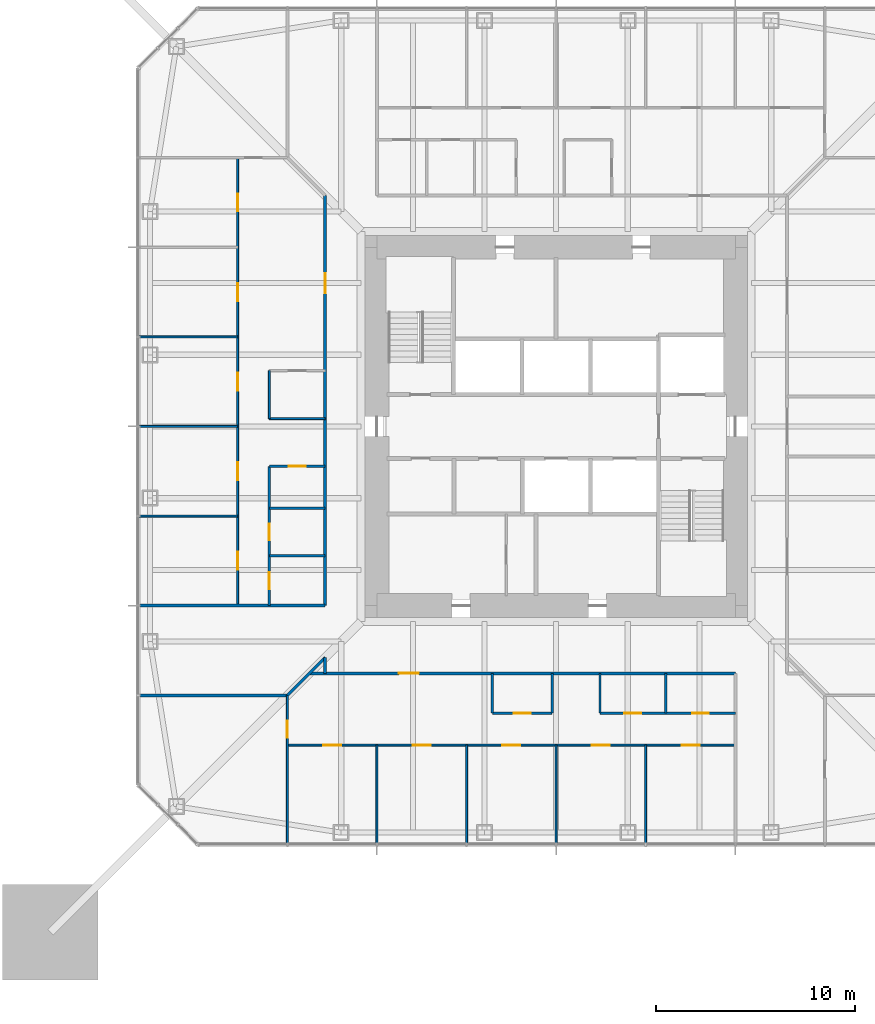
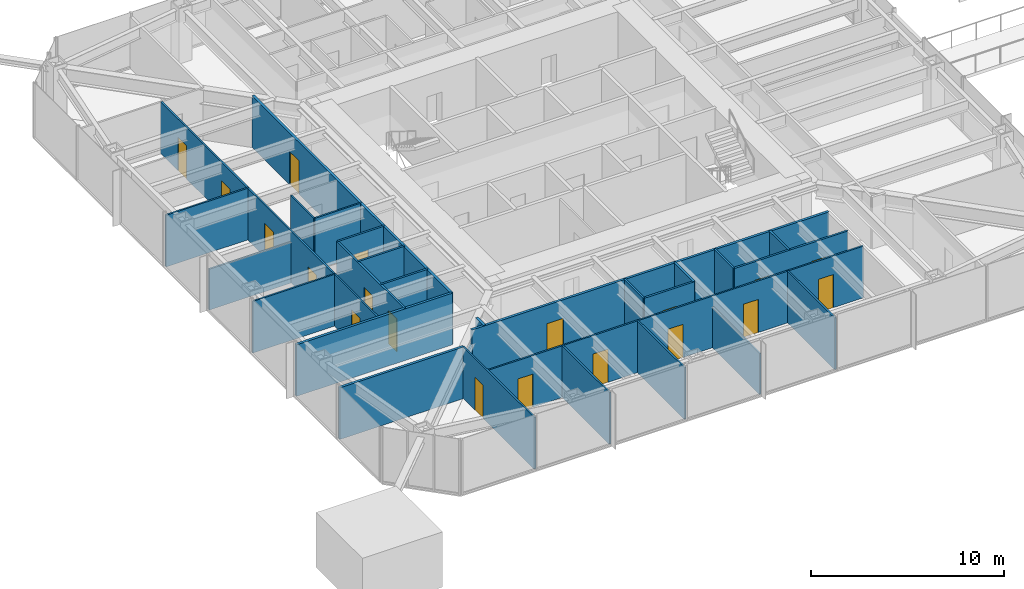
# One storey, part 12 of 23: 28 walls, 19 doors, 19 openings.
"""IFC4 building model written with IfcOpenShell, lengths in metres."""

from ifc_helpers import new_model, si_unit, direction, frame, frame_2d, origin, place, context, subcontext, project, spatial, rectangle, extrude, material, layer, layer_set, type_object, element, fill, save


model = new_model("IFC4")

# Units and contexts
model_context = context("Model", 3, precision=1e-05, world=origin(), true_north=direction((0.0, 1.0)))
body_context = subcontext(model_context, "Body", "Model", "MODEL_VIEW")
ifc_project = project(units=[si_unit("LENGTHUNIT", "METRE"), si_unit("AREAUNIT", "SQUARE_METRE"), si_unit("VOLUMEUNIT", "CUBIC_METRE"), si_unit("PLANEANGLEUNIT", "RADIAN"), si_unit("MASSUNIT", "GRAM", prefix="KILO")], contexts=[model_context])

# Site, building, storey
site_placement = place(None, origin())
site = spatial("IfcSite", under=ifc_project, at=site_placement, CompositionType="ELEMENT")
building_placement = place(site_placement, origin())
building = spatial("IfcBuilding", under=site, at=building_placement, Name="Iwan Alto Co-Living Towers", CompositionType="ELEMENT")
storey_placement = place(building_placement, frame((0.0, 0.0, 129.5)))
storey = spatial("IfcBuildingStorey", under=building, at=storey_placement, Name="L35", CompositionType="ELEMENT", Elevation=129.5)

# Wall
ifc_material_1 = material(Name="Gypsum board")
ifc_layer_1 = layer(ifc_material_1, 0.02490234375, Name="Board", Category="Finish")
ifc_material_2 = material(Name="Steel ASTM A1003 ST33H cold-formed studs", Category="steel")
ifc_layer_2 = layer(ifc_material_2, 0.10009765625, Name="Studs", Category="Framing")
ifc_layer_3 = layer(ifc_material_1, 0.02490234375, Name="Board", Category="Finish")
ifc_layer_set_1 = layer_set([ifc_layer_1, ifc_layer_2, ifc_layer_3], Name="CORRIDOR WALL 150")
wall_type_1 = type_object("IfcWallType", Name="CORRIDOR WALL 150", PredefinedType="PARTITIONING", material=ifc_layer_set_1)
wall_1_placement = place(storey_placement, frame((-20.93994140625, -13.5, 0.0), z_axis=(0.0, 0.0, 1.0), x_axis=(1.0, 0.0, 0.0)))
element("IfcWall", 1, at=wall_1_placement, inside=storey, type_object=wall_type_1, Name="Partition L35", PredefinedType="PARTITIONING", context=body_context, shape_type="SweptSolid", body=[
    extrude(rectangle(XDim=7.43994140625, YDim=0.14990234375, at=frame_2d((3.719970703125, 0.0))), origin(), (0.0, 0.0, 1.0), 3.27001953125),
])

# Wall, opening, door
wall_2_placement = place(storey_placement, frame((-12.39990234375, -12.39990234375, 0.0), z_axis=(0.0, 0.0, 1.0), x_axis=(1.0, 0.0, 0.0)))
wall_2 = element("IfcWall", 2, at=wall_2_placement, inside=storey, type_object=wall_type_1, Name="Partition L35", PredefinedType="PARTITIONING", context=body_context, shape_type="SweptSolid", body=[
    extrude(rectangle(XDim=21.39990234375, YDim=0.14990234375, at=frame_2d((10.699951171875, 0.0))), origin(), (0.0, 0.0, 1.0), 3.27001953125),
])
opening_1_placement = place(wall_2_placement, frame((4.5, 0.0, 0.0)))
opening_1 = element("IfcOpeningElement", 3, at=opening_1_placement, cuts=wall_2, Name="Opening D3", PredefinedType="OPENING", context=body_context, shape_type="SweptSolid", body=[
    extrude(rectangle(XDim=1.0, YDim=2.10009765625, at=frame_2d((0.5, 1.050048828125))), frame((0.0, 0.0849609375, 0.0), z_axis=(0.0, -1.0, 0.0), x_axis=(1.0, 0.0, 0.0)), (0.0, 0.0, 1.0), 0.169921875),
])
ifc_material_3 = material(Name="Steel frame with timber leaf", Category="steel")
door_type_1 = type_object("IfcDoorType", Name="FLAT ENTRANCE DOOR FD30S 1000X2100", OperationType="SINGLE_SWING_LEFT", PredefinedType="DOOR", material=ifc_material_3)
door_1_placement = place(opening_1_placement, frame((1.0, 0.0, 0.0), z_axis=(0.0, 0.0, 1.0), x_axis=(-1.0, 0.0, 0.0)))
door_1 = element("IfcDoor", 4, at=door_1_placement, inside=storey, type_object=door_type_1, Name="Cluster lounge door L35", OperationType="SINGLE_SWING_LEFT", OverallHeight=2.10009765625, OverallWidth=1.0, PredefinedType="DOOR", context=body_context, shape_type="SweptSolid", body=[
    extrude(rectangle(XDim=1.0, YDim=2.10009765625, at=frame_2d((0.5, 1.050048828125))), frame((0.0, 0.02490234375, 0.0), z_axis=(0.0, -1.0, 0.0), x_axis=(1.0, 0.0, 0.0)), (0.0, 0.0, 1.0), 0.050048828125),
])
fill(opening_1, door_1)

# Walls
wall_3_placement = place(storey_placement, frame((-20.93994140625, -9.0, 0.0), z_axis=(0.0, 0.0, 1.0), x_axis=(1.0, 0.0, 0.0)))
element("IfcWall", 5, at=wall_3_placement, inside=storey, type_object=wall_type_1, Name="Partition L35", PredefinedType="PARTITIONING", context=body_context, shape_type="SweptSolid", body=[
    extrude(rectangle(XDim=9.33984375, YDim=0.14990234375, at=frame_2d((4.669921875, 0.0))), origin(), (0.0, 0.0, 1.0), 3.27001953125),
])
wall_4_placement = place(storey_placement, frame((-13.5, -13.5, 0.0), z_axis=(0.0, 0.0, 1.0), x_axis=(0.707106781187, 0.707106781187, 0.0)))
element("IfcWall", 6, at=wall_4_placement, inside=storey, type_object=wall_type_1, Name="Partition L35", PredefinedType="PARTITIONING", context=body_context, shape_type="SweptSolid", body=[
    extrude(rectangle(XDim=2.686767578125, YDim=0.14990234375, at=frame_2d((1.34326171875, 0.0))), origin(), (0.0, 0.0, 1.0), 2.343017578125),
])
wall_5_placement = place(storey_placement, frame((-11.60009765625, -12.39990234375, 0.0), z_axis=(0.0, 0.0, 1.0), x_axis=(0.0, 1.0, 0.0)))
element("IfcWall", 7, at=wall_5_placement, inside=storey, type_object=wall_type_1, Name="Partition L35", PredefinedType="PARTITIONING", context=body_context, shape_type="SweptSolid", body=[
    extrude(rectangle(XDim=0.7998046875, YDim=0.14990234375, at=frame_2d((0.39990234375, 0.0))), origin(), (0.0, 0.0, 1.0), 3.27001953125),
])

# Wall, opening, door
wall_6_placement = place(storey_placement, frame((-11.60009765625, -9.0, 0.0), z_axis=(0.0, 0.0, 1.0), x_axis=(0.0, 1.0, 0.0)))
wall_6 = element("IfcWall", 8, at=wall_6_placement, inside=storey, type_object=wall_type_1, Name="Partition L35", PredefinedType="PARTITIONING", context=body_context, shape_type="SweptSolid", body=[
    extrude(rectangle(XDim=20.60009765625, YDim=0.14990234375, at=frame_2d((10.300048828125, 0.0))), origin(), (0.0, 0.0, 1.0), 3.27001953125),
])
opening_2_placement = place(wall_6_placement, frame((15.699951171875, 0.0, 0.0)))
opening_2 = element("IfcOpeningElement", 9, at=opening_2_placement, cuts=wall_6, Name="Opening D3", PredefinedType="OPENING", context=body_context, shape_type="SweptSolid", body=[
    extrude(rectangle(XDim=1.0, YDim=2.10009765625, at=frame_2d((0.5, 1.050048828125))), frame((0.0, 0.0849609375, 0.0), z_axis=(0.0, -1.0, 0.0), x_axis=(1.0, 0.0, 0.0)), (0.0, 0.0, 1.0), 0.169921875),
])
door_2_placement = place(opening_2_placement, origin())
door_2 = element("IfcDoor", 10, at=door_2_placement, inside=storey, type_object=door_type_1, Name="Cluster lounge door L35", OperationType="SINGLE_SWING_LEFT", OverallHeight=2.10009765625, OverallWidth=1.0, PredefinedType="DOOR", context=body_context, shape_type="SweptSolid", body=[
    extrude(rectangle(XDim=1.0, YDim=2.10009765625, at=frame_2d((0.5, 1.050048828125))), frame((0.0, 0.02490234375, 0.0), z_axis=(0.0, -1.0, 0.0), x_axis=(1.0, 0.0, 0.0)), (0.0, 0.0, 1.0), 0.050048828125),
])
fill(opening_2, door_2)

# Wall, openings, doors
ifc_layer_4 = layer(ifc_material_1, 0.012451171875, Name="Board", Category="Finish")
ifc_layer_5 = layer(ifc_material_2, 0.074951171875, Name="Studs", Category="Framing")
ifc_layer_6 = layer(ifc_material_1, 0.012451171875, Name="Board", Category="Finish")
ifc_layer_set_2 = layer_set([ifc_layer_4, ifc_layer_5, ifc_layer_6], Name="PARTITION 100")
wall_type_2 = type_object("IfcWallType", Name="PARTITION 100", PredefinedType="PARTITIONING", material=ifc_layer_set_2)
wall_7_placement = place(storey_placement, frame((-13.5, -16.0, 0.0), z_axis=(0.0, 0.0, 1.0), x_axis=(1.0, 0.0, 0.0)))
wall_7 = element("IfcWall", 11, at=wall_7_placement, inside=storey, type_object=wall_type_2, Name="Partition L35", PredefinedType="PARTITIONING", context=body_context, shape_type="SweptSolid", body=[
    extrude(rectangle(XDim=22.5, YDim=0.10009765625, at=frame_2d((11.25, 0.0))), origin(), (0.0, 0.0, 1.0), 3.27001953125),
])
opening_3_placement = place(wall_7_placement, frame((1.800048828125, 0.0, 0.0)))
opening_3 = element("IfcOpeningElement", 12, at=opening_3_placement, cuts=wall_7, Name="Opening D1", PredefinedType="OPENING", context=body_context, shape_type="SweptSolid", body=[
    extrude(rectangle(XDim=0.89990234375, YDim=2.10009765625, at=frame_2d((0.449951171875, 1.050048828125))), frame((0.0, 0.06005859375, 0.0), z_axis=(0.0, -1.0, 0.0), x_axis=(1.0, 0.0, 0.0)), (0.0, 0.0, 1.0), 0.1201171875),
])
opening_4_placement = place(wall_7_placement, frame((6.300048828125, 0.0, 0.0)))
opening_4 = element("IfcOpeningElement", 13, at=opening_4_placement, cuts=wall_7, Name="Opening D1", PredefinedType="OPENING", context=body_context, shape_type="SweptSolid", body=[
    extrude(rectangle(XDim=0.89990234375, YDim=2.10009765625, at=frame_2d((0.449951171875, 1.050048828125))), frame((0.0, 0.06005859375, 0.0), z_axis=(0.0, -1.0, 0.0), x_axis=(1.0, 0.0, 0.0)), (0.0, 0.0, 1.0), 0.1201171875),
])
opening_5_placement = place(wall_7_placement, frame((10.800048828125, 0.0, 0.0)))
opening_5 = element("IfcOpeningElement", 14, at=opening_5_placement, cuts=wall_7, Name="Opening D1", PredefinedType="OPENING", context=body_context, shape_type="SweptSolid", body=[
    extrude(rectangle(XDim=0.89990234375, YDim=2.10009765625, at=frame_2d((0.449951171875, 1.050048828125))), frame((0.0, 0.06005859375, 0.0), z_axis=(0.0, -1.0, 0.0), x_axis=(1.0, 0.0, 0.0)), (0.0, 0.0, 1.0), 0.1201171875),
])
opening_6_placement = place(wall_7_placement, frame((15.300048828125, 0.0, 0.0)))
opening_6 = element("IfcOpeningElement", 15, at=opening_6_placement, cuts=wall_7, Name="Opening D1", PredefinedType="OPENING", context=body_context, shape_type="SweptSolid", body=[
    extrude(rectangle(XDim=0.89990234375, YDim=2.10009765625, at=frame_2d((0.449951171875, 1.050048828125))), frame((0.0, 0.06005859375, 0.0), z_axis=(0.0, -1.0, 0.0), x_axis=(1.0, 0.0, 0.0)), (0.0, 0.0, 1.0), 0.1201171875),
])
opening_7_placement = place(wall_7_placement, frame((19.800048828125, 0.0, 0.0)))
opening_7 = element("IfcOpeningElement", 16, at=opening_7_placement, cuts=wall_7, Name="Opening D1", PredefinedType="OPENING", context=body_context, shape_type="SweptSolid", body=[
    extrude(rectangle(XDim=0.89990234375, YDim=2.10009765625, at=frame_2d((0.449951171875, 1.050048828125))), frame((0.0, 0.06005859375, 0.0), z_axis=(0.0, -1.0, 0.0), x_axis=(1.0, 0.0, 0.0)), (0.0, 0.0, 1.0), 0.1201171875),
])
ifc_material_4 = material(Name="Timber leaf in steel frame", Category="steel")
door_type_2 = type_object("IfcDoorType", Name="BEDROOM DOOR 900X2100", OperationType="SINGLE_SWING_LEFT", PredefinedType="DOOR", material=ifc_material_4)
door_3_placement = place(opening_3_placement, origin())
door_3 = element("IfcDoor", 17, at=door_3_placement, inside=storey, type_object=door_type_2, Name="Study bedroom door L35", OperationType="SINGLE_SWING_LEFT", OverallHeight=2.10009765625, OverallWidth=0.89990234375, PredefinedType="DOOR", context=body_context, shape_type="SweptSolid", body=[
    extrude(rectangle(XDim=0.89990234375, YDim=2.10009765625, at=frame_2d((0.449951171875, 1.050048828125))), frame((0.0, 0.02490234375, 0.0), z_axis=(0.0, -1.0, 0.0), x_axis=(1.0, 0.0, 0.0)), (0.0, 0.0, 1.0), 0.050048828125),
])
fill(opening_3, door_3)
door_4_placement = place(opening_4_placement, origin())
door_4 = element("IfcDoor", 18, at=door_4_placement, inside=storey, type_object=door_type_2, Name="Study bedroom door L35", OperationType="SINGLE_SWING_LEFT", OverallHeight=2.10009765625, OverallWidth=0.89990234375, PredefinedType="DOOR", context=body_context, shape_type="SweptSolid", body=[
    extrude(rectangle(XDim=0.89990234375, YDim=2.10009765625, at=frame_2d((0.449951171875, 1.050048828125))), frame((0.0, 0.02490234375, 0.0), z_axis=(0.0, -1.0, 0.0), x_axis=(1.0, 0.0, 0.0)), (0.0, 0.0, 1.0), 0.050048828125),
])
fill(opening_4, door_4)
door_5_placement = place(opening_5_placement, origin())
door_5 = element("IfcDoor", 19, at=door_5_placement, inside=storey, type_object=door_type_2, Name="Study bedroom door L35", OperationType="SINGLE_SWING_LEFT", OverallHeight=2.10009765625, OverallWidth=0.89990234375, PredefinedType="DOOR", context=body_context, shape_type="SweptSolid", body=[
    extrude(rectangle(XDim=0.89990234375, YDim=2.10009765625, at=frame_2d((0.449951171875, 1.050048828125))), frame((0.0, 0.02490234375, 0.0), z_axis=(0.0, -1.0, 0.0), x_axis=(1.0, 0.0, 0.0)), (0.0, 0.0, 1.0), 0.050048828125),
])
fill(opening_5, door_5)
door_6_placement = place(opening_6_placement, origin())
door_6 = element("IfcDoor", 20, at=door_6_placement, inside=storey, type_object=door_type_2, Name="Study bedroom door L35", OperationType="SINGLE_SWING_RIGHT", OverallHeight=2.10009765625, OverallWidth=0.89990234375, PredefinedType="DOOR", context=body_context, shape_type="SweptSolid", body=[
    extrude(rectangle(XDim=0.89990234375, YDim=2.10009765625, at=frame_2d((0.449951171875, 1.050048828125))), frame((0.0, 0.02490234375, 0.0), z_axis=(0.0, -1.0, 0.0), x_axis=(1.0, 0.0, 0.0)), (0.0, 0.0, 1.0), 0.050048828125),
])
fill(opening_6, door_6)
door_7_placement = place(opening_7_placement, origin())
door_7 = element("IfcDoor", 21, at=door_7_placement, inside=storey, type_object=door_type_2, Name="Study bedroom door L35", OperationType="SINGLE_SWING_RIGHT", OverallHeight=2.10009765625, OverallWidth=0.89990234375, PredefinedType="DOOR", context=body_context, shape_type="SweptSolid", body=[
    extrude(rectangle(XDim=0.89990234375, YDim=2.10009765625, at=frame_2d((0.449951171875, 1.050048828125))), frame((0.0, 0.02490234375, 0.0), z_axis=(0.0, -1.0, 0.0), x_axis=(1.0, 0.0, 0.0)), (0.0, 0.0, 1.0), 0.050048828125),
])
fill(opening_7, door_7)

# Walls
wall_8_placement = place(storey_placement, frame((-20.93994140625, -4.5, 0.0), z_axis=(0.0, 0.0, 1.0), x_axis=(1.0, 0.0, 0.0)))
element("IfcWall", 22, at=wall_8_placement, inside=storey, type_object=wall_type_2, Name="Partition L35", PredefinedType="PARTITIONING", context=body_context, shape_type="SweptSolid", body=[
    extrude(rectangle(XDim=4.93994140625, YDim=0.10009765625, at=frame_2d((2.469970703125, 0.0))), origin(), (0.0, 0.0, 1.0), 3.27001953125),
])
wall_9_placement = place(storey_placement, frame((-20.93994140625, 0.0, 0.0), z_axis=(0.0, 0.0, 1.0), x_axis=(1.0, 0.0, 0.0)))
element("IfcWall", 23, at=wall_9_placement, inside=storey, type_object=wall_type_2, Name="Partition L35", PredefinedType="PARTITIONING", context=body_context, shape_type="SweptSolid", body=[
    extrude(rectangle(XDim=4.93994140625, YDim=0.10009765625, at=frame_2d((2.469970703125, 0.0))), origin(), (0.0, 0.0, 1.0), 2.586669921875),
])
wall_10_placement = place(storey_placement, frame((-14.39990234375, 0.39990234375, 0.0), z_axis=(0.0, 0.0, 1.0), x_axis=(1.0, 0.0, 0.0)))
element("IfcWall", 24, at=wall_10_placement, inside=storey, type_object=wall_type_2, Name="Partition L35", PredefinedType="PARTITIONING", context=body_context, shape_type="SweptSolid", body=[
    extrude(rectangle(XDim=2.7998046875, YDim=0.10009765625, at=frame_2d((1.39990234375, 0.0))), origin(), (0.0, 0.0, 1.0), 3.27001953125),
])
for number, where, z_axis, x_axis, name in (
    (25, (-20.93994140625, 4.5, 0.0), (0.0, 0.0, 1.0), (1.0, 0.0, 0.0), "Partition L35"),
    (26, (4.5, -20.93994140625, 0.0), (0.0, 0.0, 1.0), (0.0, 1.0, 0.0), "Partition L35"),
):
    element("IfcWall", number, at=place(storey_placement, frame(where, z_axis=z_axis, x_axis=x_axis)), inside=storey, type_object=wall_type_2, Name=name, PredefinedType="PARTITIONING", context=body_context, shape_type="SweptSolid", body=[
        extrude(rectangle(XDim=4.93994140625, YDim=0.10009765625, at=frame_2d((2.469970703125, 0.0))), origin(), (0.0, 0.0, 1.0), 3.27001953125),
    ])
wall_11_placement = place(storey_placement, frame((0.0, -20.93994140625, 0.0), z_axis=(0.0, 0.0, 1.0), x_axis=(0.0, 1.0, 0.0)))
element("IfcWall", 27, at=wall_11_placement, inside=storey, type_object=wall_type_2, Name="Partition L35", PredefinedType="PARTITIONING", context=body_context, shape_type="SweptSolid", body=[
    extrude(rectangle(XDim=4.93994140625, YDim=0.10009765625, at=frame_2d((2.469970703125, 0.0))), origin(), (0.0, 0.0, 1.0), 2.586669921875),
])
for number, where, z_axis, x_axis, name in (
    (28, (-4.5, -20.93994140625, 0.0), (0.0, 0.0, 1.0), (0.0, 1.0, 0.0), "Partition L35"),
    (29, (-9.0, -20.93994140625, 0.0), (0.0, 0.0, 1.0), (0.0, 1.0, 0.0), "Partition L35"),
):
    element("IfcWall", number, at=place(storey_placement, frame(where, z_axis=z_axis, x_axis=x_axis)), inside=storey, type_object=wall_type_2, Name=name, PredefinedType="PARTITIONING", context=body_context, shape_type="SweptSolid", body=[
        extrude(rectangle(XDim=4.93994140625, YDim=0.10009765625, at=frame_2d((2.469970703125, 0.0))), origin(), (0.0, 0.0, 1.0), 3.27001953125),
    ])

# Wall, opening, door
wall_12_placement = place(storey_placement, frame((-13.5, -20.93994140625, 0.0), z_axis=(0.0, 0.0, 1.0), x_axis=(0.0, 1.0, 0.0)))
wall_12 = element("IfcWall", 30, at=wall_12_placement, inside=storey, type_object=wall_type_2, Name="Partition L35", PredefinedType="PARTITIONING", context=body_context, shape_type="SweptSolid", body=[
    extrude(rectangle(XDim=7.43994140625, YDim=0.10009765625, at=frame_2d((3.719970703125, 0.0))), origin(), (0.0, 0.0, 1.0), 3.27001953125),
])
opening_8_placement = place(wall_12_placement, frame((5.31494140625, 0.0, 0.0)))
opening_8 = element("IfcOpeningElement", 31, at=opening_8_placement, cuts=wall_12, Name="Opening D2", PredefinedType="OPENING", context=body_context, shape_type="SweptSolid", body=[
    extrude(rectangle(XDim=0.85009765625, YDim=2.10009765625, at=frame_2d((0.425048828125, 1.050048828125))), frame((0.0, 0.06005859375, 0.0), z_axis=(0.0, -1.0, 0.0), x_axis=(1.0, 0.0, 0.0)), (0.0, 0.0, 1.0), 0.1201171875),
])
ifc_material_5 = material(Name="Timber leaf in steel frame", Category="steel")
door_type_3 = type_object("IfcDoorType", Name="ROOM DOOR 850X2100", OperationType="SINGLE_SWING_LEFT", PredefinedType="DOOR", material=ifc_material_5)
door_8_placement = place(opening_8_placement, frame((0.85009765625, 0.0, 0.0), z_axis=(0.0, 0.0, 1.0), x_axis=(-1.0, 0.0, 0.0)))
door_8 = element("IfcDoor", 32, at=door_8_placement, inside=storey, type_object=door_type_3, Name="Shared kitchen and lounge door L35", OperationType="SINGLE_SWING_RIGHT", OverallHeight=2.10009765625, OverallWidth=0.85009765625, PredefinedType="DOOR", context=body_context, shape_type="SweptSolid", body=[
    extrude(rectangle(XDim=0.85009765625, YDim=2.10009765625, at=frame_2d((0.425048828125, 1.050048828125))), frame((0.0, 0.02490234375, 0.0), z_axis=(0.0, -1.0, 0.0), x_axis=(1.0, 0.0, 0.0)), (0.0, 0.0, 1.0), 0.050048828125),
])
fill(opening_8, door_8)

# Wall
wall_13_placement = place(storey_placement, frame((-14.39990234375, 0.39990234375, 0.0), z_axis=(0.0, 0.0, 1.0), x_axis=(0.0, 1.0, 0.0)))
element("IfcWall", 33, at=wall_13_placement, inside=storey, type_object=wall_type_2, Name="Partition L35", PredefinedType="PARTITIONING", context=body_context, shape_type="SweptSolid", body=[
    extrude(rectangle(XDim=2.400146484375, YDim=0.10009765625, at=frame_2d((1.2001953125, 0.0))), origin(), (0.0, 0.0, 1.0), 3.27001953125),
])

# Wall, openings, doors
wall_14_placement = place(storey_placement, frame((-16.0, -9.0, 0.0), z_axis=(0.0, 0.0, 1.0), x_axis=(0.0, 1.0, 0.0)))
wall_14 = element("IfcWall", 34, at=wall_14_placement, inside=storey, type_object=wall_type_2, Name="Partition L35", PredefinedType="PARTITIONING", context=body_context, shape_type="SweptSolid", body=[
    extrude(rectangle(XDim=22.5, YDim=0.10009765625, at=frame_2d((11.25, 0.0))), origin(), (0.0, 0.0, 1.0), 3.27001953125),
])
opening_9_placement = place(wall_14_placement, frame((19.800048828125, 0.0, 0.0)))
opening_9 = element("IfcOpeningElement", 35, at=opening_9_placement, cuts=wall_14, Name="Opening D1", PredefinedType="OPENING", context=body_context, shape_type="SweptSolid", body=[
    extrude(rectangle(XDim=0.89990234375, YDim=2.10009765625, at=frame_2d((0.449951171875, 1.050048828125))), frame((0.0, 0.06005859375, 0.0), z_axis=(0.0, -1.0, 0.0), x_axis=(1.0, 0.0, 0.0)), (0.0, 0.0, 1.0), 0.1201171875),
])
opening_10_placement = place(wall_14_placement, frame((15.300048828125, 0.0, 0.0)))
opening_10 = element("IfcOpeningElement", 36, at=opening_10_placement, cuts=wall_14, Name="Opening D1", PredefinedType="OPENING", context=body_context, shape_type="SweptSolid", body=[
    extrude(rectangle(XDim=0.89990234375, YDim=2.10009765625, at=frame_2d((0.449951171875, 1.050048828125))), frame((0.0, 0.06005859375, 0.0), z_axis=(0.0, -1.0, 0.0), x_axis=(1.0, 0.0, 0.0)), (0.0, 0.0, 1.0), 0.1201171875),
])
opening_11_placement = place(wall_14_placement, frame((10.800048828125, 0.0, 0.0)))
opening_11 = element("IfcOpeningElement", 37, at=opening_11_placement, cuts=wall_14, Name="Opening D1", PredefinedType="OPENING", context=body_context, shape_type="SweptSolid", body=[
    extrude(rectangle(XDim=0.89990234375, YDim=2.10009765625, at=frame_2d((0.449951171875, 1.050048828125))), frame((0.0, 0.06005859375, 0.0), z_axis=(0.0, -1.0, 0.0), x_axis=(1.0, 0.0, 0.0)), (0.0, 0.0, 1.0), 0.1201171875),
])
opening_12_placement = place(wall_14_placement, frame((6.300048828125, 0.0, 0.0)))
opening_12 = element("IfcOpeningElement", 38, at=opening_12_placement, cuts=wall_14, Name="Opening D1", PredefinedType="OPENING", context=body_context, shape_type="SweptSolid", body=[
    extrude(rectangle(XDim=0.89990234375, YDim=2.10009765625, at=frame_2d((0.449951171875, 1.050048828125))), frame((0.0, 0.06005859375, 0.0), z_axis=(0.0, -1.0, 0.0), x_axis=(1.0, 0.0, 0.0)), (0.0, 0.0, 1.0), 0.1201171875),
])
opening_13_placement = place(wall_14_placement, frame((1.800048828125, 0.0, 0.0)))
opening_13 = element("IfcOpeningElement", 39, at=opening_13_placement, cuts=wall_14, Name="Opening D1", PredefinedType="OPENING", context=body_context, shape_type="SweptSolid", body=[
    extrude(rectangle(XDim=0.89990234375, YDim=2.10009765625, at=frame_2d((0.449951171875, 1.050048828125))), frame((0.0, 0.06005859375, 0.0), z_axis=(0.0, -1.0, 0.0), x_axis=(1.0, 0.0, 0.0)), (0.0, 0.0, 1.0), 0.1201171875),
])
door_9_placement = place(opening_9_placement, frame((0.89990234375, 0.0, 0.0), z_axis=(0.0, 0.0, 1.0), x_axis=(-1.0, 0.0, 0.0)))
door_9 = element("IfcDoor", 40, at=door_9_placement, inside=storey, type_object=door_type_2, Name="Study bedroom door L35", OperationType="SINGLE_SWING_LEFT", OverallHeight=2.10009765625, OverallWidth=0.89990234375, PredefinedType="DOOR", context=body_context, shape_type="SweptSolid", body=[
    extrude(rectangle(XDim=0.89990234375, YDim=2.10009765625, at=frame_2d((0.449951171875, 1.050048828125))), frame((0.0, 0.02490234375, 0.0), z_axis=(0.0, -1.0, 0.0), x_axis=(1.0, 0.0, 0.0)), (0.0, 0.0, 1.0), 0.050048828125),
])
fill(opening_9, door_9)
door_10_placement = place(opening_10_placement, frame((0.89990234375, 0.0, 0.0), z_axis=(0.0, 0.0, 1.0), x_axis=(-1.0, 0.0, 0.0)))
door_10 = element("IfcDoor", 41, at=door_10_placement, inside=storey, type_object=door_type_2, Name="Study bedroom door L35", OperationType="SINGLE_SWING_LEFT", OverallHeight=2.10009765625, OverallWidth=0.89990234375, PredefinedType="DOOR", context=body_context, shape_type="SweptSolid", body=[
    extrude(rectangle(XDim=0.89990234375, YDim=2.10009765625, at=frame_2d((0.449951171875, 1.050048828125))), frame((0.0, 0.02490234375, 0.0), z_axis=(0.0, -1.0, 0.0), x_axis=(1.0, 0.0, 0.0)), (0.0, 0.0, 1.0), 0.050048828125),
])
fill(opening_10, door_10)
door_11_placement = place(opening_11_placement, frame((0.89990234375, 0.0, 0.0), z_axis=(0.0, 0.0, 1.0), x_axis=(-1.0, 0.0, 0.0)))
door_11 = element("IfcDoor", 42, at=door_11_placement, inside=storey, type_object=door_type_2, Name="Study bedroom door L35", OperationType="SINGLE_SWING_RIGHT", OverallHeight=2.10009765625, OverallWidth=0.89990234375, PredefinedType="DOOR", context=body_context, shape_type="SweptSolid", body=[
    extrude(rectangle(XDim=0.89990234375, YDim=2.10009765625, at=frame_2d((0.449951171875, 1.050048828125))), frame((0.0, 0.02490234375, 0.0), z_axis=(0.0, -1.0, 0.0), x_axis=(1.0, 0.0, 0.0)), (0.0, 0.0, 1.0), 0.050048828125),
])
fill(opening_11, door_11)
door_12_placement = place(opening_12_placement, frame((0.89990234375, 0.0, 0.0), z_axis=(0.0, 0.0, 1.0), x_axis=(-1.0, 0.0, 0.0)))
door_12 = element("IfcDoor", 43, at=door_12_placement, inside=storey, type_object=door_type_2, Name="Study bedroom door L35", OperationType="SINGLE_SWING_RIGHT", OverallHeight=2.10009765625, OverallWidth=0.89990234375, PredefinedType="DOOR", context=body_context, shape_type="SweptSolid", body=[
    extrude(rectangle(XDim=0.89990234375, YDim=2.10009765625, at=frame_2d((0.449951171875, 1.050048828125))), frame((0.0, 0.02490234375, 0.0), z_axis=(0.0, -1.0, 0.0), x_axis=(1.0, 0.0, 0.0)), (0.0, 0.0, 1.0), 0.050048828125),
])
fill(opening_12, door_12)
door_13_placement = place(opening_13_placement, frame((0.89990234375, 0.0, 0.0), z_axis=(0.0, 0.0, 1.0), x_axis=(-1.0, 0.0, 0.0)))
door_13 = element("IfcDoor", 44, at=door_13_placement, inside=storey, type_object=door_type_2, Name="Study bedroom door L35", OperationType="SINGLE_SWING_RIGHT", OverallHeight=2.10009765625, OverallWidth=0.89990234375, PredefinedType="DOOR", context=body_context, shape_type="SweptSolid", body=[
    extrude(rectangle(XDim=0.89990234375, YDim=2.10009765625, at=frame_2d((0.449951171875, 1.050048828125))), frame((0.0, 0.02490234375, 0.0), z_axis=(0.0, -1.0, 0.0), x_axis=(1.0, 0.0, 0.0)), (0.0, 0.0, 1.0), 0.050048828125),
])
fill(opening_13, door_13)

# Wall, opening, door
ifc_material_6 = material(Name="Cement board")
ifc_layer_7 = layer(ifc_material_6, 0.012451171875, Name="Board", Category="Finish")
ifc_layer_8 = layer(ifc_material_2, 0.094970703125, Name="Studs", Category="Framing")
ifc_layer_9 = layer(ifc_material_6, 0.012451171875, Name="Board", Category="Finish")
ifc_layer_set_3 = layer_set([ifc_layer_7, ifc_layer_8, ifc_layer_9], Name="WET AREA PARTITION 120")
wall_type_3 = type_object("IfcWallType", Name="WET AREA PARTITION 120", PredefinedType="PARTITIONING", material=ifc_layer_set_3)
wall_15_placement = place(storey_placement, frame((-3.199951171875, -14.39990234375, 0.0), z_axis=(0.0, 0.0, 1.0), x_axis=(1.0, 0.0, 0.0)))
wall_15 = element("IfcWall", 45, at=wall_15_placement, inside=storey, type_object=wall_type_3, Name="Partition L35", PredefinedType="PARTITIONING", context=body_context, shape_type="SweptSolid", body=[
    extrude(rectangle(XDim=3.0, YDim=0.1201171875, at=frame_2d((1.5, 0.0))), origin(), (0.0, 0.0, 1.0), 3.27001953125),
])
opening_14_placement = place(wall_15_placement, frame((1.074951171875, 0.0, 0.0)))
opening_14 = element("IfcOpeningElement", 46, at=opening_14_placement, cuts=wall_15, Name="Opening D2", PredefinedType="OPENING", context=body_context, shape_type="SweptSolid", body=[
    extrude(rectangle(XDim=0.85009765625, YDim=2.10009765625, at=frame_2d((0.425048828125, 1.050048828125))), frame((0.0, 0.070068359375, 0.0), z_axis=(0.0, -1.0, 0.0), x_axis=(1.0, 0.0, 0.0)), (0.0, 0.0, 1.0), 0.14013671875),
])
door_14_placement = place(opening_14_placement, frame((0.85009765625, 0.0, 0.0), z_axis=(0.0, 0.0, 1.0), x_axis=(-1.0, 0.0, 0.0)))
door_14 = element("IfcDoor", 47, at=door_14_placement, inside=storey, type_object=door_type_3, Name="Bathroom door L35", OperationType="SINGLE_SWING_LEFT", OverallHeight=2.10009765625, OverallWidth=0.85009765625, PredefinedType="DOOR", context=body_context, shape_type="SweptSolid", body=[
    extrude(rectangle(XDim=0.85009765625, YDim=2.10009765625, at=frame_2d((0.425048828125, 1.050048828125))), frame((0.0, 0.02490234375, 0.0), z_axis=(0.0, -1.0, 0.0), x_axis=(1.0, 0.0, 0.0)), (0.0, 0.0, 1.0), 0.050048828125),
])
fill(opening_14, door_14)

# Wall, openings, doors
wall_16_placement = place(storey_placement, frame((2.199951171875, -14.39990234375, 0.0), z_axis=(0.0, 0.0, 1.0), x_axis=(1.0, 0.0, 0.0)))
wall_16 = element("IfcWall", 48, at=wall_16_placement, inside=storey, type_object=wall_type_3, Name="Partition L35", PredefinedType="PARTITIONING", context=body_context, shape_type="SweptSolid", body=[
    extrude(rectangle(XDim=6.800048828125, YDim=0.1201171875, at=frame_2d((3.39990234375, 0.0))), origin(), (0.0, 0.0, 1.0), 3.27001953125),
])
opening_15_placement = place(wall_16_placement, frame((1.22509765625, 0.0, 0.0)))
opening_15 = element("IfcOpeningElement", 49, at=opening_15_placement, cuts=wall_16, Name="Opening D2", PredefinedType="OPENING", context=body_context, shape_type="SweptSolid", body=[
    extrude(rectangle(XDim=0.85009765625, YDim=2.10009765625, at=frame_2d((0.425048828125, 1.050048828125))), frame((0.0, 0.070068359375, 0.0), z_axis=(0.0, -1.0, 0.0), x_axis=(1.0, 0.0, 0.0)), (0.0, 0.0, 1.0), 0.14013671875),
])
opening_16_placement = place(wall_16_placement, frame((4.625, 0.0, 0.0)))
opening_16 = element("IfcOpeningElement", 50, at=opening_16_placement, cuts=wall_16, Name="Opening D2", PredefinedType="OPENING", context=body_context, shape_type="SweptSolid", body=[
    extrude(rectangle(XDim=0.85009765625, YDim=2.10009765625, at=frame_2d((0.425048828125, 1.050048828125))), frame((0.0, 0.070068359375, 0.0), z_axis=(0.0, -1.0, 0.0), x_axis=(1.0, 0.0, 0.0)), (0.0, 0.0, 1.0), 0.14013671875),
])
door_15_placement = place(opening_15_placement, frame((0.85009765625, 0.0, 0.0), z_axis=(0.0, 0.0, 1.0), x_axis=(-1.0, 0.0, 0.0)))
door_15 = element("IfcDoor", 51, at=door_15_placement, inside=storey, type_object=door_type_3, Name="Accessible bathroom door L35", OperationType="SINGLE_SWING_LEFT", OverallHeight=2.10009765625, OverallWidth=0.85009765625, PredefinedType="DOOR", context=body_context, shape_type="SweptSolid", body=[
    extrude(rectangle(XDim=0.85009765625, YDim=2.10009765625, at=frame_2d((0.425048828125, 1.050048828125))), frame((0.0, 0.02490234375, 0.0), z_axis=(0.0, -1.0, 0.0), x_axis=(1.0, 0.0, 0.0)), (0.0, 0.0, 1.0), 0.050048828125),
])
fill(opening_15, door_15)
door_16_placement = place(opening_16_placement, frame((0.85009765625, 0.0, 0.0), z_axis=(0.0, 0.0, 1.0), x_axis=(-1.0, 0.0, 0.0)))
door_16 = element("IfcDoor", 52, at=door_16_placement, inside=storey, type_object=door_type_3, Name="Laundry door L35", OperationType="SINGLE_SWING_LEFT", OverallHeight=2.10009765625, OverallWidth=0.85009765625, PredefinedType="DOOR", context=body_context, shape_type="SweptSolid", body=[
    extrude(rectangle(XDim=0.85009765625, YDim=2.10009765625, at=frame_2d((0.425048828125, 1.050048828125))), frame((0.0, 0.02490234375, 0.0), z_axis=(0.0, -1.0, 0.0), x_axis=(1.0, 0.0, 0.0)), (0.0, 0.0, 1.0), 0.050048828125),
])
fill(opening_16, door_16)

# Walls
for number, where, z_axis, x_axis, name in (
    (53, (-14.39990234375, -6.5, 0.0), (0.0, 0.0, 1.0), (1.0, 0.0, 0.0), "Partition L35"),
    (54, (-14.39990234375, -4.10009765625, 0.0), (0.0, 0.0, 1.0), (1.0, 0.0, 0.0), "Partition L35"),
):
    element("IfcWall", number, at=place(storey_placement, frame(where, z_axis=z_axis, x_axis=x_axis)), inside=storey, type_object=wall_type_3, Name=name, PredefinedType="PARTITIONING", context=body_context, shape_type="SweptSolid", body=[
        extrude(rectangle(XDim=2.7998046875, YDim=0.1201171875, at=frame_2d((1.39990234375, 0.0))), origin(), (0.0, 0.0, 1.0), 3.27001953125),
    ])

# Wall, opening, door
wall_17_placement = place(storey_placement, frame((-14.39990234375, -2.0, 0.0), z_axis=(0.0, 0.0, 1.0), x_axis=(1.0, 0.0, 0.0)))
wall_17 = element("IfcWall", 55, at=wall_17_placement, inside=storey, type_object=wall_type_3, Name="Partition L35", PredefinedType="PARTITIONING", context=body_context, shape_type="SweptSolid", body=[
    extrude(rectangle(XDim=2.7998046875, YDim=0.1201171875, at=frame_2d((1.39990234375, 0.0))), origin(), (0.0, 0.0, 1.0), 3.27001953125),
])
opening_17_placement = place(wall_17_placement, frame((0.97509765625, 0.0, 0.0)))
opening_17 = element("IfcOpeningElement", 56, at=opening_17_placement, cuts=wall_17, Name="Opening D2", PredefinedType="OPENING", context=body_context, shape_type="SweptSolid", body=[
    extrude(rectangle(XDim=0.85009765625, YDim=2.10009765625, at=frame_2d((0.425048828125, 1.050048828125))), frame((0.0, 0.070068359375, 0.0), z_axis=(0.0, -1.0, 0.0), x_axis=(1.0, 0.0, 0.0)), (0.0, 0.0, 1.0), 0.14013671875),
])
door_17_placement = place(opening_17_placement, origin())
door_17 = element("IfcDoor", 57, at=door_17_placement, inside=storey, type_object=door_type_3, Name="Bathroom door L35", OperationType="SINGLE_SWING_RIGHT", OverallHeight=2.10009765625, OverallWidth=0.85009765625, PredefinedType="DOOR", context=body_context, shape_type="SweptSolid", body=[
    extrude(rectangle(XDim=0.85009765625, YDim=2.10009765625, at=frame_2d((0.425048828125, 1.050048828125))), frame((0.0, 0.02490234375, 0.0), z_axis=(0.0, -1.0, 0.0), x_axis=(1.0, 0.0, 0.0)), (0.0, 0.0, 1.0), 0.050048828125),
])
fill(opening_17, door_17)

# Walls
for number, where, z_axis, x_axis, name in (
    (58, (5.5, -14.39990234375, 0.0), (0.0, 0.0, 1.0), (0.0, 1.0, 0.0), "Partition L35"),
    (59, (2.199951171875, -14.39990234375, 0.0), (0.0, 0.0, 1.0), (0.0, 1.0, 0.0), "Partition L35"),
    (60, (-0.199951171875, -14.39990234375, 0.0), (0.0, 0.0, 1.0), (0.0, 1.0, 0.0), "Partition L35"),
    (61, (-3.199951171875, -14.39990234375, 0.0), (0.0, 0.0, 1.0), (0.0, 1.0, 0.0), "Partition L35"),
):
    element("IfcWall", number, at=place(storey_placement, frame(where, z_axis=z_axis, x_axis=x_axis)), inside=storey, type_object=wall_type_3, Name=name, PredefinedType="PARTITIONING", context=body_context, shape_type="SweptSolid", body=[
        extrude(rectangle(XDim=2.0, YDim=0.1201171875, at=frame_2d((1.0, 0.0))), origin(), (0.0, 0.0, 1.0), 3.27001953125),
    ])

# Wall, openings, doors
wall_18_placement = place(storey_placement, frame((-14.39990234375, -9.0, 0.0), z_axis=(0.0, 0.0, 1.0), x_axis=(0.0, 1.0, 0.0)))
wall_18 = element("IfcWall", 62, at=wall_18_placement, inside=storey, type_object=wall_type_3, Name="Partition L35", PredefinedType="PARTITIONING", context=body_context, shape_type="SweptSolid", body=[
    extrude(rectangle(XDim=7.0, YDim=0.1201171875, at=frame_2d((3.5, 0.0))), origin(), (0.0, 0.0, 1.0), 3.27001953125),
])
opening_18_placement = place(wall_18_placement, frame((3.27490234375, 0.0, 0.0)))
opening_18 = element("IfcOpeningElement", 63, at=opening_18_placement, cuts=wall_18, Name="Opening D2", PredefinedType="OPENING", context=body_context, shape_type="SweptSolid", body=[
    extrude(rectangle(XDim=0.85009765625, YDim=2.10009765625, at=frame_2d((0.425048828125, 1.050048828125))), frame((0.0, 0.070068359375, 0.0), z_axis=(0.0, -1.0, 0.0), x_axis=(1.0, 0.0, 0.0)), (0.0, 0.0, 1.0), 0.14013671875),
])
opening_19_placement = place(wall_18_placement, frame((0.824951171875, 0.0, 0.0)))
opening_19 = element("IfcOpeningElement", 64, at=opening_19_placement, cuts=wall_18, Name="Opening D2", PredefinedType="OPENING", context=body_context, shape_type="SweptSolid", body=[
    extrude(rectangle(XDim=0.85009765625, YDim=2.10009765625, at=frame_2d((0.425048828125, 1.050048828125))), frame((0.0, 0.070068359375, 0.0), z_axis=(0.0, -1.0, 0.0), x_axis=(1.0, 0.0, 0.0)), (0.0, 0.0, 1.0), 0.14013671875),
])
door_18_placement = place(opening_18_placement, origin())
door_18 = element("IfcDoor", 65, at=door_18_placement, inside=storey, type_object=door_type_3, Name="Accessible bathroom door L35", OperationType="SINGLE_SWING_LEFT", OverallHeight=2.10009765625, OverallWidth=0.85009765625, PredefinedType="DOOR", context=body_context, shape_type="SweptSolid", body=[
    extrude(rectangle(XDim=0.85009765625, YDim=2.10009765625, at=frame_2d((0.425048828125, 1.050048828125))), frame((0.0, 0.02490234375, 0.0), z_axis=(0.0, -1.0, 0.0), x_axis=(1.0, 0.0, 0.0)), (0.0, 0.0, 1.0), 0.050048828125),
])
fill(opening_18, door_18)
door_19_placement = place(opening_19_placement, origin())
door_19 = element("IfcDoor", 66, at=door_19_placement, inside=storey, type_object=door_type_3, Name="Laundry door L35", OperationType="SINGLE_SWING_LEFT", OverallHeight=2.10009765625, OverallWidth=0.85009765625, PredefinedType="DOOR", context=body_context, shape_type="SweptSolid", body=[
    extrude(rectangle(XDim=0.85009765625, YDim=2.10009765625, at=frame_2d((0.425048828125, 1.050048828125))), frame((0.0, 0.02490234375, 0.0), z_axis=(0.0, -1.0, 0.0), x_axis=(1.0, 0.0, 0.0)), (0.0, 0.0, 1.0), 0.050048828125),
])
fill(opening_19, door_19)

save(model, "model.ifc")
